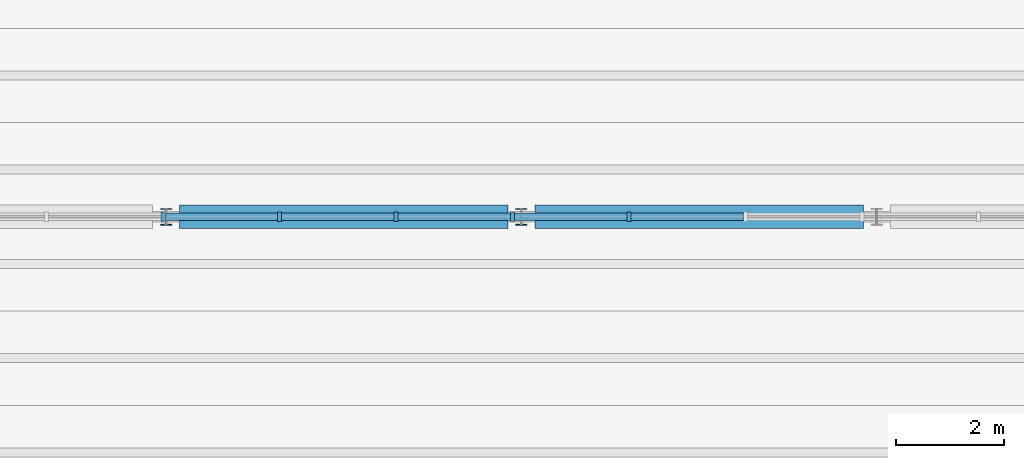
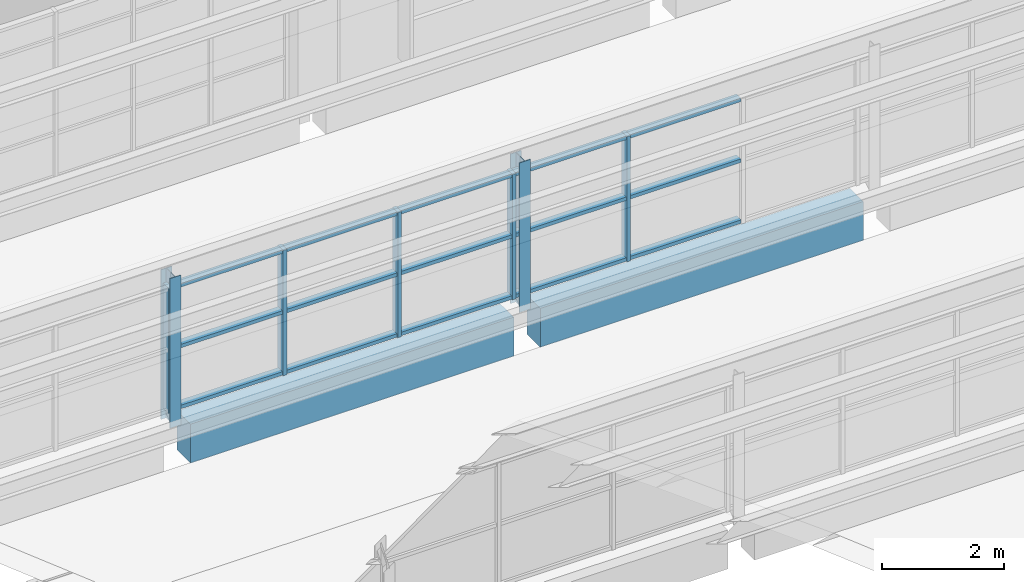
# One storey, part 54 of 92: 22 members, 2 beams, 1 element without a shape of its own.
"""IFC4 building model written with IfcOpenShell, lengths in metres."""

import ifcopenshell
import ifcopenshell.guid

model = None  # the IFC model being written
_history = None  # IfcOwnerHistory: only IFC2X3 demands one
_inside = {}  # id of a spatial element -> (the spatial element, [elements in it])
_under = {}  # id of a project, library or spatial element -> (it, [spatial elements below it])
_declared = {}  # id of a project -> (the project, [libraries it declares])
_typed = {}  # id of a type object -> (the type object, [elements of that type])
_made_of = {}  # id of a material, layer set ... -> (it, [elements and type objects made of it])


def new_model(schema):
    """Start an empty IFC model of exactly this schema.

    Asked for "IFC4X3", IfcOpenShell would pick the latest addendum, in which some entities
    have other attributes; the version numbers below select the first issue.
    IFC2X3 requires an IfcOwnerHistory on every rooted entity: one is made here for all.
    """
    global model, _history
    if schema == "IFC4X3":
        model = ifcopenshell.file(schema_version=(4, 3, 0, 0))
    else:
        model = ifcopenshell.file(schema=schema)
    _inside.clear()
    _under.clear()
    _declared.clear()
    _typed.clear()
    _made_of.clear()
    _history = None
    if model.schema == "IFC2X3":
        org = make("IfcOrganization", Name="unknown")
        user = make(
            "IfcPersonAndOrganization",
            ThePerson=make("IfcPerson", FamilyName="unknown"),
            TheOrganization=org,
        )
        app = make(
            "IfcApplication",
            ApplicationDeveloper=org,
            Version="unknown",
            ApplicationFullName="unknown",
            ApplicationIdentifier="unknown",
        )
        _history = make(
            "IfcOwnerHistory",
            OwningUser=user,
            OwningApplication=app,
            ChangeAction="ADDED",
            CreationDate=0,
        )
    return model


def make(cls, **values):
    """One entity of the class cls with the attributes given. An attribute that is None is left unset."""
    return model.create_entity(
        cls, **{name: value for name, value in values.items() if value is not None}
    )


def rooted(cls, **values):
    """An entity with a GlobalId (a new one), such as an element, a storey or a relation."""
    return make(cls, GlobalId=ifcopenshell.guid.new(), OwnerHistory=_history, **values)


def si_unit(unit_type, name, prefix=None):
    """IfcSIUnit, for example si_unit("LENGTHUNIT", "METRE", prefix="MILLI")."""
    return make("IfcSIUnit", UnitType=unit_type, Prefix=prefix, Name=name)


def assignment(units):
    """IfcUnitAssignment: the units of a project."""
    return None if units is None else make("IfcUnitAssignment", Units=units)


def point(xyz):
    """IfcCartesianPoint."""
    return None if xyz is None else make("IfcCartesianPoint", Coordinates=xyz)


def direction(xyz):
    """IfcDirection."""
    return None if xyz is None else make("IfcDirection", DirectionRatios=xyz)


def frame(location, z_axis=None, x_axis=None):
    """IfcAxis2Placement3D, a coordinate frame: its origin and axes. An axis left out is left unset."""
    return make(
        "IfcAxis2Placement3D",
        Location=point(location),
        Axis=direction(z_axis),
        RefDirection=direction(x_axis),
    )


def frame_2d(location, x_axis=None):
    """IfcAxis2Placement2D, a coordinate frame in the plane: its origin and x axis."""
    return make(
        "IfcAxis2Placement2D", Location=point(location), RefDirection=direction(x_axis)
    )


def origin():
    """The frame at (0, 0, 0) with its axes left unset."""
    return frame((0.0, 0.0, 0.0))


def origin_2d():
    """The frame at (0, 0) in the plane with its x axis left unset."""
    return frame_2d((0.0, 0.0))


def place(relative_to, where):
    """IfcLocalPlacement: puts the frame where relative to a parent placement (None: the world)."""
    return make(
        "IfcLocalPlacement", PlacementRelTo=relative_to, RelativePlacement=where
    )


def context(
    kind, dimensions, precision=None, world=None, true_north=None, identifier=None
):
    """IfcGeometricRepresentationContext, for example the 3D "Model" context."""
    return make(
        "IfcGeometricRepresentationContext",
        ContextIdentifier=identifier,
        ContextType=kind,
        CoordinateSpaceDimension=dimensions,
        Precision=precision,
        WorldCoordinateSystem=world,
        TrueNorth=true_north,
    )


def subcontext(parent, identifier, kind, view, scale=None):
    """IfcGeometricRepresentationSubContext, for example "Body" below "Model"."""
    return make(
        "IfcGeometricRepresentationSubContext",
        ContextIdentifier=identifier,
        ContextType=kind,
        ParentContext=parent,
        TargetScale=scale,
        TargetView=view,
    )


def project(units=None, contexts=None):
    """IfcProject with its units and contexts."""
    return rooted(
        "IfcProject",
        Name="project",
        RepresentationContexts=contexts,
        UnitsInContext=assignment(units),
    )


def spatial(cls, under=None, at=None, **own):
    """A site, building, storey or space (cls), placed at a placement, below another one or the project."""
    s = rooted(cls, ObjectPlacement=at, **own)
    if under is not None:
        _under.setdefault(under.id(), (under, []))[1].append(s)
    return s


def profile(cls, at=None, kind="AREA", **sizes):
    """A parametric profile (cls). Its sizes go by their IFC names, for example OverallWidth=200.0."""
    return make(cls, ProfileType=kind, Position=at, **sizes)


def rectangle(**sizes):
    """IfcRectangleProfileDef."""
    return profile("IfcRectangleProfileDef", **sizes)


def i_section(**sizes):
    """IfcIShapeProfileDef."""
    return profile("IfcIShapeProfileDef", **sizes)


def extrude(swept, where, along, depth):
    """IfcExtrudedAreaSolid: the profile swept, set in the frame where, extruded along a direction by depth."""
    return make(
        "IfcExtrudedAreaSolid",
        SweptArea=swept,
        Position=where,
        ExtrudedDirection=direction(along),
        Depth=depth,
    )


def shape(context_of_items, identifier, shape_type, items):
    """IfcShapeRepresentation: the items that make up one representation, for example the "Body"."""
    return make(
        "IfcShapeRepresentation",
        ContextOfItems=context_of_items,
        RepresentationIdentifier=identifier,
        RepresentationType=shape_type,
        Items=items,
    )


def material(Name=None, Category=None):
    """IfcMaterial."""
    return make("IfcMaterial", Name=Name, Category=Category)


def material_profile(
    of_material, cross_section, Name=None, Category=None, Priority=None
):
    """IfcMaterialProfile: a cross section and its material."""
    return make(
        "IfcMaterialProfile",
        Name=Name,
        Material=of_material,
        Profile=cross_section,
        Priority=Priority,
        Category=Category,
    )


def profile_set(profiles, Name=None, composite=None):
    """IfcMaterialProfileSet."""
    return make(
        "IfcMaterialProfileSet",
        Name=Name,
        MaterialProfiles=profiles,
        CompositeProfile=composite,
    )


def made_of(thing, what):
    """Note that an element or type object is made of a material, layer set ...; save() writes the relation."""
    if what is not None:
        _made_of.setdefault(what.id(), (what, []))[1].append(thing)
    return thing


def type_object(cls, material=None, **own):
    """A type object (cls), such as IfcWallType, which elements share."""
    return made_of(rooted(cls, **own), material)


def element(
    cls,
    number,
    at=None,
    inside=None,
    cuts=None,
    type_object=None,
    material=None,
    context=None,
    identifier="Body",
    shape_type=None,
    held_by="IfcProductDefinitionShape",
    body=None,
    shapes=None,
    **own,
):
    """One element of the class cls, such as IfcWall. Its Tag is "e" and its number.

    at: its placement. inside: the storey or other place that contains it. cuts: it is an
    opening in that element (IfcRelVoidsElement). A single representation is given by context,
    identifier, shape_type and body (its items); several are given by shapes. held_by: the class
    of the entity that holds the representations. save() writes the other relations.
    """
    e = rooted(cls, Tag="e%d" % number, ObjectPlacement=at, **own)
    if body is not None:
        shapes = [shape(context, identifier, shape_type, body)]
    if shapes is not None:
        e.Representation = make(held_by, Representations=shapes)
    if inside is not None:
        _inside.setdefault(inside.id(), (inside, []))[1].append(e)
    if cuts is not None:
        rooted(
            "IfcRelVoidsElement", RelatingBuildingElement=cuts, RelatedOpeningElement=e
        )
    if type_object is not None:
        _typed.setdefault(type_object.id(), (type_object, []))[1].append(e)
    return made_of(e, material)


def aggregate(whole, parts):
    """IfcRelAggregates: a whole, such as a stair, and the parts it consists of."""
    return rooted("IfcRelAggregates", RelatingObject=whole, RelatedObjects=parts)


def save(model, path):
    """Write the relations noted so far, then the file.

    IfcRelAggregates (storeys below a building ...), IfcRelContainedInSpatialStructure (elements
    in a storey), IfcRelDefinesByType, IfcRelAssociatesMaterial and IfcRelDeclares: one each for
    every whole, place, type object, material and project.
    """
    for whole, parts in _under.values():
        aggregate(whole, parts)
    for where, things in _inside.values():
        rooted(
            "IfcRelContainedInSpatialStructure",
            RelatedElements=things,
            RelatingStructure=where,
        )
    for kind, things in _typed.values():
        rooted("IfcRelDefinesByType", RelatedObjects=things, RelatingType=kind)
    for what, things in _made_of.values():
        rooted("IfcRelAssociatesMaterial", RelatedObjects=things, RelatingMaterial=what)
    for by, libraries in _declared.values():
        rooted("IfcRelDeclares", RelatingContext=by, RelatedDefinitions=libraries)
    model.write(path)


model = new_model("IFC4")

# Units and contexts
model_context = context("Model", 3, precision=1e-05, world=origin(), true_north=direction((0.0, 1.0)))
body_context = subcontext(model_context, "Body", "Model", "MODEL_VIEW")
ifc_project = project(units=[si_unit("LENGTHUNIT", "METRE"), si_unit("AREAUNIT", "SQUARE_METRE"), si_unit("VOLUMEUNIT", "CUBIC_METRE"), si_unit("PLANEANGLEUNIT", "RADIAN"), si_unit("MASSUNIT", "GRAM", prefix="KILO")], contexts=[model_context])

# Site, building, storey
site_placement = place(None, origin())
site = spatial("IfcSite", under=ifc_project, at=site_placement, CompositionType="ELEMENT")
building_placement = place(site_placement, origin())
building = spatial("IfcBuilding", under=site, at=building_placement, Name="Ciguamira Faculty of Natural Sciences", CompositionType="ELEMENT")
storey_placement = place(building_placement, frame((0.0, 0.0, 16.800048828125)))
storey = spatial("IfcBuildingStorey", under=building, at=storey_placement, Name="L04", CompositionType="ELEMENT", Elevation=16.800048828125)

# Curtain wall, members
ifc_material_1 = material(Name="Anodized aluminium curtain wall", Category="aluminium")
curtain_wall_type = type_object("IfcCurtainWallType", Name="CurtainWall_CW-08", PredefinedType="USERDEFINED", material=ifc_material_1)
curtain_wall_placement = place(storey_placement, origin())
curtain_wall = element("IfcCurtainWall", 1, at=curtain_wall_placement, inside=storey, type_object=curtain_wall_type, Name="V4 north-light wave 6 clerestory glazing 1", ObjectType="UNITISED CURTAIN WALL", PredefinedType="USERDEFINED")
ifc_material_2 = material(Name="Anodized aluminium mullion", Category="aluminium")
ifc_material_profile_1 = material_profile(ifc_material_2, rectangle(XDim=0.070068359375, YDim=0.179931640625, at=origin_2d()), Name="ALU-MUL-70X180")
ifc_profile_set_1 = profile_set([ifc_material_profile_1], Name="Anodized aluminium mullion")
member_type_1 = type_object("IfcMemberType", Name="CWMullion_CWM-02", PredefinedType="MULLION", material=ifc_profile_set_1)
member_1_placement = place(storey_placement, frame((90.244384765625, 87.0, 0.25), z_axis=(0.0, 0.0, 1.0), x_axis=(1.0, 0.0, 0.0)))
member_1 = element("IfcMember", 2, at=member_1_placement, type_object=member_type_1, Name="CW-08 mullion 16", PredefinedType="MULLION", context=body_context, shape_type="SweptSolid", body=[
    extrude(rectangle(XDim=0.070068359375, YDim=0.179931640625, at=origin_2d()), origin(), (0.0, 0.0, 1.0), 2.5),
])
member_2_placement = place(storey_placement, frame((92.407470703125, 87.0, 0.25), z_axis=(0.0, 0.0, 1.0), x_axis=(1.0, 0.0, 0.0)))
member_2 = element("IfcMember", 3, at=member_2_placement, type_object=member_type_1, Name="CW-08 mullion 17", PredefinedType="MULLION", context=body_context, shape_type="SweptSolid", body=[
    extrude(rectangle(XDim=0.070068359375, YDim=0.179931640625, at=origin_2d()), origin(), (0.0, 0.0, 1.0), 2.5),
])
member_3_placement = place(storey_placement, frame((94.5703125, 87.0, 0.25), z_axis=(0.0, 0.0, 1.0), x_axis=(1.0, 0.0, 0.0)))
member_3 = element("IfcMember", 4, at=member_3_placement, type_object=member_type_1, Name="CW-08 mullion 18", PredefinedType="MULLION", context=body_context, shape_type="SweptSolid", body=[
    extrude(rectangle(XDim=0.070068359375, YDim=0.179931640625, at=origin_2d()), origin(), (0.0, 0.0, 1.0), 2.5),
])
member_4_placement = place(storey_placement, frame((96.7333984375, 87.0, 0.25), z_axis=(0.0, 0.0, 1.0), x_axis=(1.0, 0.0, 0.0)))
member_4 = element("IfcMember", 5, at=member_4_placement, type_object=member_type_1, Name="CW-08 mullion 19", PredefinedType="MULLION", context=body_context, shape_type="SweptSolid", body=[
    extrude(rectangle(XDim=0.070068359375, YDim=0.179931640625, at=origin_2d()), origin(), (0.0, 0.0, 1.0), 2.5),
])
member_5_placement = place(storey_placement, frame((98.896240234375, 87.0, 0.25), z_axis=(0.0, 0.0, 1.0), x_axis=(1.0, 0.0, 0.0)))
member_5 = element("IfcMember", 6, at=member_5_placement, type_object=member_type_1, Name="CW-08 mullion 20", PredefinedType="MULLION", context=body_context, shape_type="SweptSolid", body=[
    extrude(rectangle(XDim=0.070068359375, YDim=0.179931640625, at=origin_2d()), origin(), (0.0, 0.0, 1.0), 2.5),
])
ifc_material_3 = material(Name="Anodized aluminium transom", Category="aluminium")
ifc_material_profile_2 = material_profile(ifc_material_3, rectangle(XDim=0.070068359375, YDim=0.139892578125, at=origin_2d()), Name="ALU-TRN-70X140")
ifc_profile_set_2 = profile_set([ifc_material_profile_2], Name="Anodized aluminium transom")
member_type_2 = type_object("IfcMemberType", Name="CWTransom_CWT-02", PredefinedType="USERDEFINED", material=ifc_profile_set_2)
member_6_placement = place(storey_placement, frame((90.279541015625, 87.0, 0.284912109375), z_axis=(1.0, 0.0, 0.0), x_axis=(0.0, 0.0, 1.0)))
member_6 = element("IfcMember", 7, at=member_6_placement, type_object=member_type_2, Name="CW-08 transom 16.1", ObjectType="TRANSOM", PredefinedType="USERDEFINED", context=body_context, shape_type="SweptSolid", body=[
    extrude(rectangle(XDim=0.070068359375, YDim=0.139892578125, at=origin_2d()), origin(), (0.0, 0.0, 1.0), 2.0927734375),
])
member_7_placement = place(storey_placement, frame((90.279541015625, 87.0, 1.5), z_axis=(1.0, 0.0, 0.0), x_axis=(0.0, 0.0, 1.0)))
member_7 = element("IfcMember", 8, at=member_7_placement, type_object=member_type_2, Name="CW-08 transom 16.2", ObjectType="TRANSOM", PredefinedType="USERDEFINED", context=body_context, shape_type="SweptSolid", body=[
    extrude(rectangle(XDim=0.070068359375, YDim=0.139892578125, at=origin_2d()), origin(), (0.0, 0.0, 1.0), 2.0927734375),
])
member_8_placement = place(storey_placement, frame((90.279541015625, 87.0, 2.71484375), z_axis=(1.0, 0.0, 0.0), x_axis=(0.0, 0.0, 1.0)))
member_8 = element("IfcMember", 9, at=member_8_placement, type_object=member_type_2, Name="CW-08 transom 16.3", ObjectType="TRANSOM", PredefinedType="USERDEFINED", context=body_context, shape_type="SweptSolid", body=[
    extrude(rectangle(XDim=0.070068359375, YDim=0.139892578125, at=origin_2d()), origin(), (0.0, 0.0, 1.0), 2.0927734375),
])
member_9_placement = place(storey_placement, frame((92.4423828125, 87.0, 0.284912109375), z_axis=(1.0, 0.0, 0.0), x_axis=(0.0, 0.0, 1.0)))
member_9 = element("IfcMember", 10, at=member_9_placement, type_object=member_type_2, Name="CW-08 transom 17.1", ObjectType="TRANSOM", PredefinedType="USERDEFINED", context=body_context, shape_type="SweptSolid", body=[
    extrude(rectangle(XDim=0.070068359375, YDim=0.139892578125, at=origin_2d()), origin(), (0.0, 0.0, 1.0), 2.093017578125),
])
member_10_placement = place(storey_placement, frame((92.4423828125, 87.0, 1.5), z_axis=(1.0, 0.0, 0.0), x_axis=(0.0, 0.0, 1.0)))
member_10 = element("IfcMember", 11, at=member_10_placement, type_object=member_type_2, Name="CW-08 transom 17.2", ObjectType="TRANSOM", PredefinedType="USERDEFINED", context=body_context, shape_type="SweptSolid", body=[
    extrude(rectangle(XDim=0.070068359375, YDim=0.139892578125, at=origin_2d()), origin(), (0.0, 0.0, 1.0), 2.093017578125),
])
member_11_placement = place(storey_placement, frame((92.4423828125, 87.0, 2.71484375), z_axis=(1.0, 0.0, 0.0), x_axis=(0.0, 0.0, 1.0)))
member_11 = element("IfcMember", 12, at=member_11_placement, type_object=member_type_2, Name="CW-08 transom 17.3", ObjectType="TRANSOM", PredefinedType="USERDEFINED", context=body_context, shape_type="SweptSolid", body=[
    extrude(rectangle(XDim=0.070068359375, YDim=0.139892578125, at=origin_2d()), origin(), (0.0, 0.0, 1.0), 2.093017578125),
])
member_12_placement = place(storey_placement, frame((94.60546875, 87.0, 0.284912109375), z_axis=(1.0, 0.0, 0.0), x_axis=(0.0, 0.0, 1.0)))
member_12 = element("IfcMember", 13, at=member_12_placement, type_object=member_type_2, Name="CW-08 transom 18.1", ObjectType="TRANSOM", PredefinedType="USERDEFINED", context=body_context, shape_type="SweptSolid", body=[
    extrude(rectangle(XDim=0.070068359375, YDim=0.139892578125, at=origin_2d()), origin(), (0.0, 0.0, 1.0), 2.0927734375),
])
member_13_placement = place(storey_placement, frame((94.60546875, 87.0, 1.5), z_axis=(1.0, 0.0, 0.0), x_axis=(0.0, 0.0, 1.0)))
member_13 = element("IfcMember", 14, at=member_13_placement, type_object=member_type_2, Name="CW-08 transom 18.2", ObjectType="TRANSOM", PredefinedType="USERDEFINED", context=body_context, shape_type="SweptSolid", body=[
    extrude(rectangle(XDim=0.070068359375, YDim=0.139892578125, at=origin_2d()), origin(), (0.0, 0.0, 1.0), 2.0927734375),
])
member_14_placement = place(storey_placement, frame((94.60546875, 87.0, 2.71484375), z_axis=(1.0, 0.0, 0.0), x_axis=(0.0, 0.0, 1.0)))
member_14 = element("IfcMember", 15, at=member_14_placement, type_object=member_type_2, Name="CW-08 transom 18.3", ObjectType="TRANSOM", PredefinedType="USERDEFINED", context=body_context, shape_type="SweptSolid", body=[
    extrude(rectangle(XDim=0.070068359375, YDim=0.139892578125, at=origin_2d()), origin(), (0.0, 0.0, 1.0), 2.0927734375),
])
member_15_placement = place(storey_placement, frame((96.768310546875, 87.0, 0.284912109375), z_axis=(1.0, 0.0, 0.0), x_axis=(0.0, 0.0, 1.0)))
member_15 = element("IfcMember", 16, at=member_15_placement, type_object=member_type_2, Name="CW-08 transom 19.1", ObjectType="TRANSOM", PredefinedType="USERDEFINED", context=body_context, shape_type="SweptSolid", body=[
    extrude(rectangle(XDim=0.070068359375, YDim=0.139892578125, at=origin_2d()), origin(), (0.0, 0.0, 1.0), 2.093017578125),
])
member_16_placement = place(storey_placement, frame((96.768310546875, 87.0, 1.5), z_axis=(1.0, 0.0, 0.0), x_axis=(0.0, 0.0, 1.0)))
member_16 = element("IfcMember", 17, at=member_16_placement, type_object=member_type_2, Name="CW-08 transom 19.2", ObjectType="TRANSOM", PredefinedType="USERDEFINED", context=body_context, shape_type="SweptSolid", body=[
    extrude(rectangle(XDim=0.070068359375, YDim=0.139892578125, at=origin_2d()), origin(), (0.0, 0.0, 1.0), 2.093017578125),
])
member_17_placement = place(storey_placement, frame((96.768310546875, 87.0, 2.71484375), z_axis=(1.0, 0.0, 0.0), x_axis=(0.0, 0.0, 1.0)))
member_17 = element("IfcMember", 18, at=member_17_placement, type_object=member_type_2, Name="CW-08 transom 19.3", ObjectType="TRANSOM", PredefinedType="USERDEFINED", context=body_context, shape_type="SweptSolid", body=[
    extrude(rectangle(XDim=0.070068359375, YDim=0.139892578125, at=origin_2d()), origin(), (0.0, 0.0, 1.0), 2.093017578125),
])
member_18_placement = place(storey_placement, frame((98.931396484375, 87.0, 0.284912109375), z_axis=(1.0, 0.0, 0.0), x_axis=(0.0, 0.0, 1.0)))
member_18 = element("IfcMember", 19, at=member_18_placement, type_object=member_type_2, Name="CW-08 transom 20.1", ObjectType="TRANSOM", PredefinedType="USERDEFINED", context=body_context, shape_type="SweptSolid", body=[
    extrude(rectangle(XDim=0.070068359375, YDim=0.139892578125, at=origin_2d()), origin(), (0.0, 0.0, 1.0), 2.0927734375),
])
member_19_placement = place(storey_placement, frame((98.931396484375, 87.0, 1.5), z_axis=(1.0, 0.0, 0.0), x_axis=(0.0, 0.0, 1.0)))
member_19 = element("IfcMember", 20, at=member_19_placement, type_object=member_type_2, Name="CW-08 transom 20.2", ObjectType="TRANSOM", PredefinedType="USERDEFINED", context=body_context, shape_type="SweptSolid", body=[
    extrude(rectangle(XDim=0.070068359375, YDim=0.139892578125, at=origin_2d()), origin(), (0.0, 0.0, 1.0), 2.0927734375),
])
member_20_placement = place(storey_placement, frame((98.931396484375, 87.0, 2.71484375), z_axis=(1.0, 0.0, 0.0), x_axis=(0.0, 0.0, 1.0)))
member_20 = element("IfcMember", 21, at=member_20_placement, type_object=member_type_2, Name="CW-08 transom 20.3", ObjectType="TRANSOM", PredefinedType="USERDEFINED", context=body_context, shape_type="SweptSolid", body=[
    extrude(rectangle(XDim=0.070068359375, YDim=0.139892578125, at=origin_2d()), origin(), (0.0, 0.0, 1.0), 2.0927734375),
])
aggregate(curtain_wall, [member_1, member_2, member_3, member_4, member_5, member_6, member_7, member_8, member_9, member_10, member_11, member_12, member_13, member_14, member_15, member_16, member_17, member_18, member_19, member_20])

# Beams
ifc_material_4 = material(Name="Concrete C40/50", Category="concrete")
ifc_material_profile_3 = material_profile(ifc_material_4, rectangle(XDim=0.43994140625, YDim=0.780029296875, at=origin_2d()), Name="RC-BM-440X780")
ifc_profile_set_3 = profile_set([ifc_material_profile_3], Name="Concrete C40/50")
beam_type = type_object("IfcBeamType", Name="RCBeam_BG-06_RC-BM-440X780", PredefinedType="BEAM", material=ifc_profile_set_3)
beam_1_placement = place(storey_placement, frame((90.550048828125, 87.0, -0.39013671875), z_axis=(1.0, 0.0, 0.0), x_axis=(0.0, 1.0, 0.0)))
element("IfcBeam", 22, at=beam_1_placement, inside=storey, type_object=beam_type, Name="V4 north-light wave 6 RC valley beam NVL-1-6", PredefinedType="BEAM", context=body_context, shape_type="SweptSolid", body=[
    extrude(rectangle(XDim=0.43994140625, YDim=0.780029296875, at=origin_2d()), origin(), (0.0, 0.0, 1.0), 6.099853515625),
])
beam_2_placement = place(storey_placement, frame((97.14990234375, 87.0, -0.39013671875), z_axis=(1.0, 0.0, 0.0), x_axis=(0.0, 1.0, 0.0)))
element("IfcBeam", 23, at=beam_2_placement, inside=storey, type_object=beam_type, Name="V4 north-light wave 6 RC valley beam NVL-1-7", PredefinedType="BEAM", context=body_context, shape_type="SweptSolid", body=[
    extrude(rectangle(XDim=0.43994140625, YDim=0.780029296875, at=origin_2d()), origin(), (0.0, 0.0, 1.0), 6.10009765625),
])

# Members
ifc_material_5 = material(Name="Steel ASTM A992 Grade 50", Category="steel")
ifc_material_profile_4 = material_profile(ifc_material_5, i_section(OverallWidth=0.20458984375, OverallDepth=0.307373046875, WebThickness=0.008544921875, FlangeThickness=0.0146484375, at=origin_2d()), Name="W12X45")
ifc_profile_set_4 = profile_set([ifc_material_profile_4], Name="Steel ASTM A992 Grade 50")
member_type_3 = type_object("IfcMemberType", Name="SteelMember_TS-01_W12X45", PredefinedType="STRUT", material=ifc_profile_set_4)
for number, where, z_axis, x_axis, name in (
    (24, (90.300048828125, 87.0, 0.0), (0.0, 0.0, 1.0), (1.0, 0.0, 0.0), "V4 north-light wave 6 clerestory post 90"),
    (25, (96.89990234375, 87.0, 0.0), (0.0, 0.0, 1.0), (1.0, 0.0, 0.0), "V4 north-light wave 6 clerestory post 97"),
):
    element("IfcMember", number, at=place(storey_placement, frame(where, z_axis=z_axis, x_axis=x_axis)), inside=storey, type_object=member_type_3, Name=name, PredefinedType="STRUT", context=body_context, shape_type="SweptSolid", body=[
        extrude(i_section(OverallWidth=0.20458984375, OverallDepth=0.307373046875, WebThickness=0.008544921875, FlangeThickness=0.0146484375, at=origin_2d()), origin(), (0.0, 0.0, 1.0), 2.986328125),
    ])

save(model, "model.ifc")
